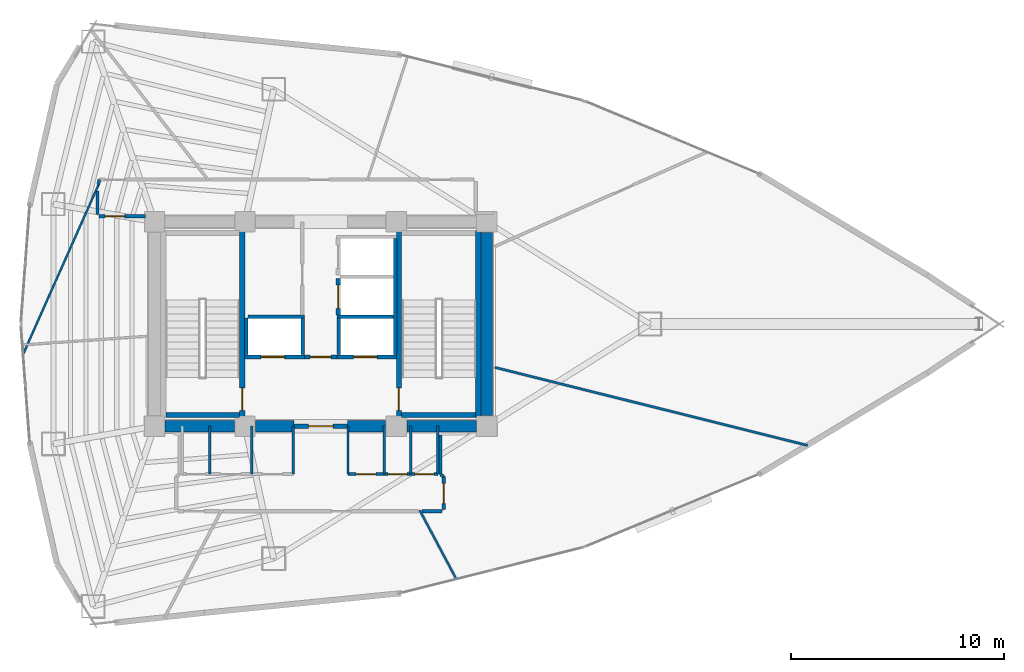
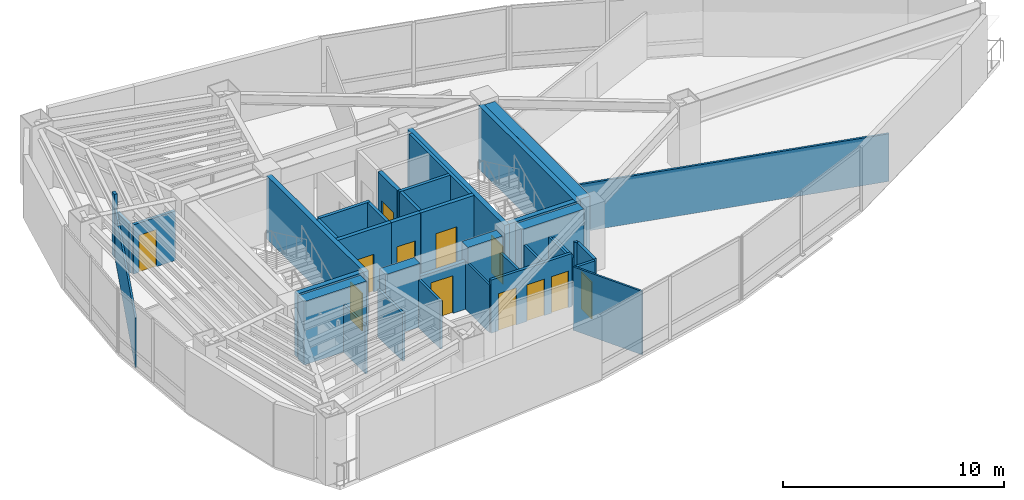
# One storey, part 14 of 18: 39 walls, 12 doors, 12 openings.
"""IFC4 building model written with IfcOpenShell, lengths in metres."""

from ifc_helpers import new_model, si_unit, direction, frame, frame_2d, origin, place, context, subcontext, project, spatial, rectangle, extrude, material, layer, layer_set, type_object, element, fill, save


model = new_model("IFC4")

# Units and contexts
model_context = context("Model", 3, precision=1e-05, world=origin(), true_north=direction((0.0, 1.0)))
body_context = subcontext(model_context, "Body", "Model", "MODEL_VIEW")
ifc_project = project(units=[si_unit("LENGTHUNIT", "METRE"), si_unit("AREAUNIT", "SQUARE_METRE"), si_unit("VOLUMEUNIT", "CUBIC_METRE"), si_unit("PLANEANGLEUNIT", "RADIAN"), si_unit("MASSUNIT", "GRAM", prefix="KILO")], contexts=[model_context])

# Site, building, storey
site_placement = place(None, origin())
site = spatial("IfcSite", under=ifc_project, at=site_placement, CompositionType="ELEMENT")
building_placement = place(site_placement, origin())
building = spatial("IfcBuilding", under=site, at=building_placement, Name="Menara Vayukalpa", CompositionType="ELEMENT")
storey_placement = place(building_placement, frame((0.0, 0.0, 165.47998046875)))
storey = spatial("IfcBuildingStorey", under=building, at=storey_placement, Name="L41", CompositionType="ELEMENT", Elevation=165.47998046875)

# Walls
ifc_material_1 = material(Name="Concrete C60/75", Category="concrete")
ifc_layer_1 = layer(ifc_material_1, 0.550048828125)
ifc_layer_set_1 = layer_set([ifc_layer_1], Name="Concrete C60/75")
wall_type_1 = type_object("IfcWallType", Name="WAL-CW550", PredefinedType="SHEAR", material=ifc_layer_set_1)
wall_1_placement = place(storey_placement, frame((18.294921875, 17.199951171875, 0.0), z_axis=(0.0, 0.0, 1.0), x_axis=(1.0, 0.0, 0.0)))
element("IfcWall", 1, at=wall_1_placement, inside=storey, type_object=wall_type_1, Name="L41 Buttressed Core Shear Wall CWS1", PredefinedType="SHEAR", context=body_context, shape_type="SweptSolid", body=[
    extrude(rectangle(XDim=3.260009765625, YDim=0.550048828125, at=frame_2d((1.6298828125, 0.0))), origin(), (0.0, 0.0, 1.0), 3.5),
])
wall_2_placement = place(storey_placement, frame((22.544921875, 17.199951171875, 0.0), z_axis=(0.0, 0.0, 1.0), x_axis=(1.0, 0.0, 0.0)))
element("IfcWall", 2, at=wall_2_placement, inside=storey, type_object=wall_type_1, Name="L41 Buttressed Core Shear Wall CWS2", PredefinedType="SHEAR", context=body_context, shape_type="SweptSolid", body=[
    extrude(rectangle(XDim=1.80517578125, YDim=0.550048828125, at=frame_2d((0.902587890625, 0.0))), origin(), (0.0, 0.0, 1.0), 3.5),
])
wall_3_placement = place(storey_placement, frame((26.85009765625, 17.199951171875, 0.0), z_axis=(0.0, 0.0, 1.0), x_axis=(1.0, 0.0, 0.0)))
element("IfcWall", 3, at=wall_3_placement, inside=storey, type_object=wall_type_1, Name="L41 Buttressed Core Shear Wall CWS3", PredefinedType="SHEAR", context=body_context, shape_type="SweptSolid", body=[
    extrude(rectangle(XDim=1.804931640625, YDim=0.550048828125, at=frame_2d((0.90234375, 0.0))), origin(), (0.0, 0.0, 1.0), 3.5),
])
wall_4_placement = place(storey_placement, frame((29.64501953125, 17.199951171875, 0.0), z_axis=(0.0, 0.0, 1.0), x_axis=(1.0, 0.0, 0.0)))
element("IfcWall", 4, at=wall_4_placement, inside=storey, type_object=wall_type_1, Name="L41 Buttressed Core Shear Wall CWS4", PredefinedType="SHEAR", context=body_context, shape_type="SweptSolid", body=[
    extrude(rectangle(XDim=3.260009765625, YDim=0.550048828125, at=frame_2d((1.6298828125, 0.0))), origin(), (0.0, 0.0, 1.0), 3.5),
])
wall_5_placement = place(storey_placement, frame((33.39990234375, 17.695068359375, 0.0), z_axis=(0.0, 0.0, 1.0), x_axis=(0.0, 1.0, 0.0)))
element("IfcWall", 5, at=wall_5_placement, inside=storey, type_object=wall_type_1, Name="L41 Buttressed Core Shear Wall CWE1", PredefinedType="SHEAR", context=body_context, shape_type="SweptSolid", body=[
    extrude(rectangle(XDim=8.60986328125, YDim=0.550048828125, at=frame_2d((4.304931640625, 0.0))), origin(), (0.0, 0.0, 1.0), 3.5),
])
ifc_material_2 = material(Name="Lightweight Concrete Blockwork C16/20", Category="masonry")
ifc_layer_2 = layer(ifc_material_2, 0.159912109375)
ifc_layer_set_2 = layer_set([ifc_layer_2], Name="Lightweight Concrete Blockwork C16/20")
wall_type_2 = type_object("IfcWallType", Name="WAL-FR150", PredefinedType="PARTITIONING", material=ifc_layer_set_2)
for number, where, z_axis, x_axis, name in (
    (6, (22.10498046875, 20.56005859375, 0.0), (0.0, 0.0, 1.0), (0.0, 1.0, 0.0), "L41 Interior Partition IW-L41-SHW-WW"),
    (7, (24.7548828125, 20.56005859375, 0.0), (0.0, 0.0, 1.0), (0.0, 1.0, 0.0), "L41 Interior Partition IW-L41-SHW-W1E"),
):
    element("IfcWall", number, at=place(storey_placement, frame(where, z_axis=z_axis, x_axis=x_axis)), inside=storey, type_object=wall_type_2, Name=name, PredefinedType="PARTITIONING", context=body_context, shape_type="SweptSolid", body=[
        extrude(rectangle(XDim=1.7099609375, YDim=0.159912109375, at=frame_2d((0.85498046875, 0.0))), origin(), (0.0, 0.0, 1.0), 3.5),
    ])
wall_6_placement = place(storey_placement, frame((22.179931640625, 22.344970703125, 0.0), z_axis=(0.0, 0.0, 1.0), x_axis=(1.0, 0.0, 0.0)))
element("IfcWall", 8, at=wall_6_placement, inside=storey, type_object=wall_type_2, Name="L41 Interior Partition IW-L41-SHM-W12", PredefinedType="PARTITIONING", context=body_context, shape_type="SweptSolid", body=[
    extrude(rectangle(XDim=2.650146484375, YDim=0.159912109375, at=frame_2d((1.3251953125, 0.0))), origin(), (0.0, 0.0, 1.0), 3.5),
])
wall_7_placement = place(storey_placement, frame((29.094970703125, 20.56005859375, 0.0), z_axis=(0.0, 0.0, 1.0), x_axis=(0.0, 1.0, 0.0)))
element("IfcWall", 9, at=wall_7_placement, inside=storey, type_object=wall_type_2, Name="L41 Interior Partition IW-L41-SHW-EE", PredefinedType="PARTITIONING", context=body_context, shape_type="SweptSolid", body=[
    extrude(rectangle(XDim=5.449951171875, YDim=0.159912109375, at=frame_2d((2.72509765625, 0.0))), origin(), (0.0, 0.0, 1.0), 3.5),
])
wall_8_placement = place(storey_placement, frame((26.445068359375, 20.56005859375, 0.0), z_axis=(0.0, 0.0, 1.0), x_axis=(0.0, 1.0, 0.0)))
element("IfcWall", 10, at=wall_8_placement, inside=storey, type_object=wall_type_2, Name="L41 Interior Partition IW-L41-SHW-E1W", PredefinedType="PARTITIONING", context=body_context, shape_type="SweptSolid", body=[
    extrude(rectangle(XDim=1.7099609375, YDim=0.159912109375, at=frame_2d((0.85498046875, 0.0))), origin(), (0.0, 0.0, 1.0), 3.5),
])
wall_9_placement = place(storey_placement, frame((26.3701171875, 22.344970703125, 0.0), z_axis=(0.0, 0.0, 1.0), x_axis=(1.0, 0.0, 0.0)))
element("IfcWall", 11, at=wall_9_placement, inside=storey, type_object=wall_type_2, Name="L41 Interior Partition IW-L41-SHM-E13", PredefinedType="PARTITIONING", context=body_context, shape_type="SweptSolid", body=[
    extrude(rectangle(XDim=2.64990234375, YDim=0.159912109375, at=frame_2d((1.324951171875, 0.0))), origin(), (0.0, 0.0, 1.0), 3.5),
])

# Wall, opening, door
ifc_material_3 = material(Name="Lightweight Concrete Blockwork C16/20", Category="masonry")
ifc_layer_3 = layer(ifc_material_3, 0.199951171875)
ifc_layer_set_3 = layer_set([ifc_layer_3], Name="Lightweight Concrete Blockwork C16/20")
wall_type_3 = type_object("IfcWallType", Name="WAL-FR200", PredefinedType="PARTITIONING", material=ifc_layer_set_3)
wall_10_placement = place(storey_placement, frame((24.35009765625, 17.199951171875, 0.0), z_axis=(0.0, 0.0, 1.0), x_axis=(1.0, 0.0, 0.0)))
wall_10 = element("IfcWall", 12, at=wall_10_placement, inside=storey, type_object=wall_type_3, Name="L41 Interior Partition IW-L41-FFLS", PredefinedType="PARTITIONING", context=body_context, shape_type="SweptSolid", body=[
    extrude(rectangle(XDim=2.5, YDim=0.199951171875, at=frame_2d((1.25, 0.0))), origin(), (0.0, 0.0, 1.0), 2.630126953125),
])
opening_1_placement = place(wall_10_placement, frame((0.679931640625, 0.0, 0.0)))
opening_1 = element("IfcOpeningElement", 13, at=opening_1_placement, cuts=wall_10, Name="Opening ID2", PredefinedType="OPENING", context=body_context, shape_type="SweptSolid", body=[
    extrude(rectangle(XDim=1.14990234375, YDim=2.080078125, at=frame_2d((0.574951171875, 1.0400390625))), frame((0.0, 0.10986328125, 0.0), z_axis=(0.0, -1.0, 0.0), x_axis=(1.0, 0.0, 0.0)), (0.0, 0.0, 1.0), 0.219970703125),
])
ifc_material_4 = material(Name="Fire-Rated Powder-Coated Steel Door", Category="steel")
door_type_1 = type_object("IfcDoorType", Name="DR-FD60W", OperationType="NOTDEFINED", PredefinedType="DOOR", material=ifc_material_4)
door_1_placement = place(opening_1_placement, origin())
door_1 = element("IfcDoor", 14, at=door_1_placement, inside=storey, type_object=door_type_1, Name="L41 Interior Door DR-L41-FFLS", OperationType="SINGLE_SWING_RIGHT", OverallHeight=2.080078125, OverallWidth=1.14990234375, PredefinedType="DOOR", context=body_context, shape_type="SweptSolid", body=[
    extrude(rectangle(XDim=1.14990234375, YDim=2.080078125, at=frame_2d((0.574951171875, 1.0400390625))), frame((0.0, 0.02490234375, 0.0), z_axis=(0.0, -1.0, 0.0), x_axis=(1.0, 0.0, 0.0)), (0.0, 0.0, 1.0), 0.050048828125),
])
fill(opening_1, door_1)

wall_11_placement = place(storey_placement, frame((24.840087890625, 20.449951171875, 0.0), z_axis=(0.0, 0.0, 1.0), x_axis=(1.0, 0.0, 0.0)))
wall_11 = element("IfcWall", 15, at=wall_11_placement, inside=storey, type_object=wall_type_3, Name="L41 Interior Partition IW-L41-FFLN", PredefinedType="PARTITIONING", context=body_context, shape_type="SweptSolid", body=[
    extrude(rectangle(XDim=1.52001953125, YDim=0.199951171875, at=frame_2d((0.760009765625, 0.0))), origin(), (0.0, 0.0, 1.0), 3.5),
])
opening_2_placement = place(wall_11_placement, frame((0.27001953125, 0.0, 0.0)))
opening_2 = element("IfcOpeningElement", 16, at=opening_2_placement, cuts=wall_11, Name="Opening ID3", PredefinedType="OPENING", context=body_context, shape_type="SweptSolid", body=[
    extrude(rectangle(XDim=0.97998046875, YDim=2.06005859375, at=frame_2d((0.489990234375, 1.030029296875))), frame((0.0, 0.10986328125, 0.0), z_axis=(0.0, -1.0, 0.0), x_axis=(1.0, 0.0, 0.0)), (0.0, 0.0, 1.0), 0.219970703125),
])
ifc_material_5 = material(Name="Fire-Rated Powder-Coated Steel Door", Category="steel")
door_type_2 = type_object("IfcDoorType", Name="DR-FD60", OperationType="NOTDEFINED", PredefinedType="DOOR", material=ifc_material_5)
door_2_placement = place(opening_2_placement, origin())
door_2 = element("IfcDoor", 17, at=door_2_placement, inside=storey, type_object=door_type_2, Name="L41 Interior Door DR-L41-FFLN", OperationType="SINGLE_SWING_LEFT", OverallHeight=2.06005859375, OverallWidth=0.97998046875, PredefinedType="DOOR", context=body_context, shape_type="SweptSolid", body=[
    extrude(rectangle(XDim=0.97998046875, YDim=2.06005859375, at=frame_2d((0.489990234375, 1.030029296875))), frame((0.0, 0.02490234375, 0.0), z_axis=(0.0, -1.0, 0.0), x_axis=(1.0, 0.0, 0.0)), (0.0, 0.0, 1.0), 0.050048828125),
])
fill(opening_2, door_2)

wall_12_placement = place(storey_placement, frame((22.030029296875, 20.449951171875, 0.0), z_axis=(0.0, 0.0, 1.0), x_axis=(1.0, 0.0, 0.0)))
wall_12 = element("IfcWall", 18, at=wall_12_placement, inside=storey, type_object=wall_type_3, Name="L41 Interior Partition IW-L41-SH-W1", PredefinedType="PARTITIONING", context=body_context, shape_type="SweptSolid", body=[
    extrude(rectangle(XDim=2.800048828125, YDim=0.199951171875, at=frame_2d((1.39990234375, 0.0))), origin(), (0.0, 0.0, 1.0), 3.5),
])
opening_3_placement = place(wall_12_placement, frame((0.780029296875, 0.0, 0.0)))
opening_3 = element("IfcOpeningElement", 19, at=opening_3_placement, cuts=wall_12, Name="Opening LD1", PredefinedType="OPENING", context=body_context, shape_type="SweptSolid", body=[
    extrude(rectangle(XDim=1.10009765625, YDim=2.080078125, at=frame_2d((0.550048828125, 1.0400390625))), frame((0.0, 0.10986328125, 0.0), z_axis=(0.0, -1.0, 0.0), x_axis=(1.0, 0.0, 0.0)), (0.0, 0.0, 1.0), 0.219970703125),
])
ifc_material_6 = material(Name="Brushed Stainless Steel 316 Lift Door", Category="steel")
door_type_3 = type_object("IfcDoorType", Name="DR-LD110", OperationType="NOTDEFINED", PredefinedType="DOOR", material=ifc_material_6)
door_3_placement = place(opening_3_placement, origin())
door_3 = element("IfcDoor", 20, at=door_3_placement, inside=storey, type_object=door_type_3, Name="L41 Interior Door DR-L41-LD-W1", OperationType="DOUBLE_DOOR_SLIDING", OverallHeight=2.080078125, OverallWidth=1.10009765625, PredefinedType="DOOR", context=body_context, shape_type="SweptSolid", body=[
    extrude(rectangle(XDim=1.10009765625, YDim=2.080078125, at=frame_2d((0.550048828125, 1.0400390625))), frame((0.0, 0.02490234375, 0.0), z_axis=(0.0, -1.0, 0.0), x_axis=(1.0, 0.0, 0.0)), (0.0, 0.0, 1.0), 0.050048828125),
])
fill(opening_3, door_3)

wall_13_placement = place(storey_placement, frame((26.3701171875, 20.449951171875, 0.0), z_axis=(0.0, 0.0, 1.0), x_axis=(1.0, 0.0, 0.0)))
wall_13 = element("IfcWall", 21, at=wall_13_placement, inside=storey, type_object=wall_type_3, Name="L41 Interior Partition IW-L41-SH-E1", PredefinedType="PARTITIONING", context=body_context, shape_type="SweptSolid", body=[
    extrude(rectangle(XDim=2.7998046875, YDim=0.199951171875, at=frame_2d((1.39990234375, 0.0))), origin(), (0.0, 0.0, 1.0), 3.5),
])
opening_4_placement = place(wall_13_placement, frame((0.780029296875, 0.0, 0.0)))
opening_4 = element("IfcOpeningElement", 22, at=opening_4_placement, cuts=wall_13, Name="Opening LD1", PredefinedType="OPENING", context=body_context, shape_type="SweptSolid", body=[
    extrude(rectangle(XDim=1.10009765625, YDim=2.080078125, at=frame_2d((0.550048828125, 1.0400390625))), frame((0.0, 0.10986328125, 0.0), z_axis=(0.0, -1.0, 0.0), x_axis=(1.0, 0.0, 0.0)), (0.0, 0.0, 1.0), 0.219970703125),
])
door_4_placement = place(opening_4_placement, origin())
door_4 = element("IfcDoor", 23, at=door_4_placement, inside=storey, type_object=door_type_3, Name="L41 Interior Door DR-L41-LD-E1", OperationType="DOUBLE_DOOR_SLIDING", OverallHeight=2.080078125, OverallWidth=1.10009765625, PredefinedType="DOOR", context=body_context, shape_type="SweptSolid", body=[
    extrude(rectangle(XDim=1.10009765625, YDim=2.080078125, at=frame_2d((0.550048828125, 1.0400390625))), frame((0.0, 0.02490234375, 0.0), z_axis=(0.0, -1.0, 0.0), x_axis=(1.0, 0.0, 0.0)), (0.0, 0.0, 1.0), 0.050048828125),
])
fill(opening_4, door_4)

wall_14_placement = place(storey_placement, frame((26.419921875, 22.419921875, 0.0), z_axis=(0.0, 0.0, 1.0), x_axis=(0.0, 1.0, 0.0)))
wall_14 = element("IfcWall", 24, at=wall_14_placement, inside=storey, type_object=wall_type_3, Name="L41 Interior Partition IW-L41-SH-E3", PredefinedType="PARTITIONING", context=body_context, shape_type="SweptSolid", body=[
    extrude(rectangle(XDim=1.719970703125, YDim=0.199951171875, at=frame_2d((0.85986328125, 0.0))), origin(), (0.0, 0.0, 1.0), 3.5),
])
opening_5_placement = place(wall_14_placement, frame((0.31005859375, 0.0, 0.0)))
opening_5 = element("IfcOpeningElement", 25, at=opening_5_placement, cuts=wall_14, Name="Opening LD1", PredefinedType="OPENING", context=body_context, shape_type="SweptSolid", body=[
    extrude(rectangle(XDim=1.10009765625, YDim=2.080078125, at=frame_2d((0.550048828125, 1.0400390625))), frame((0.0, 0.10986328125, 0.0), z_axis=(0.0, -1.0, 0.0), x_axis=(1.0, 0.0, 0.0)), (0.0, 0.0, 1.0), 0.219970703125),
])
door_5_placement = place(opening_5_placement, origin())
door_5 = element("IfcDoor", 26, at=door_5_placement, inside=storey, type_object=door_type_3, Name="L41 Interior Door DR-L41-LD-E3", OperationType="DOUBLE_DOOR_SLIDING", OverallHeight=2.080078125, OverallWidth=1.10009765625, PredefinedType="DOOR", context=body_context, shape_type="SweptSolid", body=[
    extrude(rectangle(XDim=1.10009765625, YDim=2.080078125, at=frame_2d((0.550048828125, 1.0400390625))), frame((0.0, 0.02490234375, 0.0), z_axis=(0.0, -1.0, 0.0), x_axis=(1.0, 0.0, 0.0)), (0.0, 0.0, 1.0), 0.050048828125),
])
fill(opening_5, door_5)

# Walls
ifc_material_7 = material(Name="Glazed Demountable Office Partition", Category="glass")
ifc_layer_4 = layer(ifc_material_7, 0.094970703125)
ifc_layer_set_4 = layer_set([ifc_layer_4], Name="Glazed Demountable Office Partition")
wall_type_4 = type_object("IfcWallType", Name="WAL-PT100", PredefinedType="PARTITIONING", material=ifc_layer_set_4)
wall_15_placement = place(storey_placement, frame((30.2470703125, 13.260009765625, 0.0), z_axis=(0.0, 0.0, 1.0), x_axis=(0.469475406562, -0.882945549076, 0.0)))
element("IfcWall", 27, at=wall_15_placement, inside=storey, type_object=wall_type_4, Name="L41 Interior Partition IW-L41-RDIV06", PredefinedType="PARTITIONING", context=body_context, shape_type="SweptSolid", body=[
    extrude(rectangle(XDim=3.67919921875, YDim=0.094970703125, at=frame_2d((1.839599609375, 0.0))), origin(), (0.0, 0.0, 1.0), 3.5),
])
wall_16_placement = place(storey_placement, frame((15.169921875, 28.531005859375, 0.0), z_axis=(0.0, 0.0, 1.0), x_axis=(-0.406717829794, -0.913553833623, 0.0)))
element("IfcWall", 28, at=wall_16_placement, inside=storey, type_object=wall_type_4, Name="L41 Interior Partition IW-L41-RDIV08", PredefinedType="PARTITIONING", context=body_context, shape_type="SweptSolid", body=[
    extrude(rectangle(XDim=8.7177734375, YDim=0.094970703125, at=frame_2d((4.35888671875, 0.0))), origin(), (0.0, 0.0, 1.0), 2.72998046875),
])
ifc_material_8 = material(Name="Acoustic Mineral Stud Partition", Category="masonry")
ifc_layer_5 = layer(ifc_material_8, 0.110107421875)
ifc_layer_set_5 = layer_set([ifc_layer_5], Name="Acoustic Mineral Stud Partition")
wall_type_5 = type_object("IfcWallType", Name="WAL-PT110", PredefinedType="PARTITIONING", material=ifc_layer_set_5)
for number, where, z_axis, x_axis, name in (
    (29, (20.39990234375, 14.949951171875, 0.0), (0.0, 0.0, 1.0), (0.0, 1.0, 0.0), "L41 Interior Partition IW-L41-SVCD-02"),
    (30, (26.8798828125, 14.949951171875, 0.0), (0.0, 0.0, 1.0), (0.0, 1.0, 0.0), "L41 Interior Partition IW-L41-SVCD-05"),
    (31, (31.10009765625, 14.949951171875, 0.0), (0.0, 0.0, 1.0), (0.0, 1.0, 0.0), "L41 Interior Partition IW-L41-SVCD-08"),
):
    element("IfcWall", number, at=place(storey_placement, frame(where, z_axis=z_axis, x_axis=x_axis)), inside=storey, type_object=wall_type_5, Name=name, PredefinedType="PARTITIONING", context=body_context, shape_type="SweptSolid", body=[
        extrude(rectangle(XDim=2.25, YDim=0.110107421875, at=frame_2d((1.125, 0.0))), origin(), (0.0, 0.0, 1.0), 2.630126953125),
    ])
wall_17_placement = place(storey_placement, frame((33.77001953125, 19.962890625, 0.0), z_axis=(0.0, 0.0, 1.0), x_axis=(0.970295996232, -0.241920812863, 0.0)))
element("IfcWall", 32, at=wall_17_placement, inside=storey, type_object=wall_type_5, Name="L41 Interior Partition IW-L41-RDIV07", PredefinedType="PARTITIONING", context=body_context, shape_type="SweptSolid", body=[
    extrude(rectangle(XDim=15.1376953125, YDim=0.110107421875, at=frame_2d((7.56884765625, 0.0))), origin(), (0.0, 0.0, 1.0), 2.630126953125),
])
ifc_material_9 = material(Name="Gypsum Drywall Steel Stud Assembly", Category="steel")
ifc_layer_6 = layer(ifc_material_9, 0.125)
ifc_layer_set_6 = layer_set([ifc_layer_6], Name="Gypsum Drywall Steel Stud Assembly")
wall_type_6 = type_object("IfcWallType", Name="WAL-PT125", PredefinedType="PARTITIONING", material=ifc_layer_set_6)
for number, where, z_axis, x_axis, name in (
    (33, (22.360107421875, 14.949951171875, 0.0), (0.0, 0.0, 1.0), (0.0, 1.0, 0.0), "L41 Interior Partition IW-L41-SVCD-03"),
    (34, (24.320068359375, 14.949951171875, 0.0), (0.0, 0.0, 1.0), (0.0, 1.0, 0.0), "L41 Interior Partition IW-L41-SVCD-04"),
    (35, (28.590087890625, 14.949951171875, 0.0), (0.0, 0.0, 1.0), (0.0, 1.0, 0.0), "L41 Interior Partition IW-L41-SVCD-06"),
    (36, (29.830078125, 14.949951171875, 0.0), (0.0, 0.0, 1.0), (0.0, 1.0, 0.0), "L41 Interior Partition IW-L41-SVCD-07"),
):
    element("IfcWall", number, at=place(storey_placement, frame(where, z_axis=z_axis, x_axis=x_axis)), inside=storey, type_object=wall_type_6, Name=name, PredefinedType="PARTITIONING", context=body_context, shape_type="SweptSolid", body=[
        extrude(rectangle(XDim=2.25, YDim=0.125, at=frame_2d((1.125, 0.0))), origin(), (0.0, 0.0, 1.0), 2.630126953125),
    ])

# Wall, openings, doors
ifc_material_10 = material(Name="Gypsum Drywall Acoustic Stud Assembly", Category="masonry")
ifc_layer_7 = layer(ifc_material_10, 0.14501953125)
ifc_layer_set_7 = layer_set([ifc_layer_7], Name="Gypsum Drywall Acoustic Stud Assembly")
wall_type_7 = type_object("IfcWallType", Name="WAL-PT150", PredefinedType="PARTITIONING", material=ifc_layer_set_7)
wall_18_placement = place(storey_placement, frame((26.8798828125, 14.949951171875, 0.0), z_axis=(0.0, 0.0, 1.0), x_axis=(1.0, 0.0, 0.0)))
wall_18 = element("IfcWall", 37, at=wall_18_placement, inside=storey, type_object=wall_type_7, Name="L41 Interior Partition IW-L41-SVCS-E", PredefinedType="PARTITIONING", context=body_context, shape_type="SweptSolid", body=[
    extrude(rectangle(XDim=4.22021484375, YDim=0.14501953125, at=frame_2d((2.110107421875, 0.0))), origin(), (0.0, 0.0, 1.0), 2.929931640625),
])
opening_6_placement = place(wall_18_placement, frame((0.389892578125, 0.0, 0.0)))
opening_6 = element("IfcOpeningElement", 38, at=opening_6_placement, cuts=wall_18, Name="Opening ID6", PredefinedType="OPENING", context=body_context, shape_type="SweptSolid", body=[
    extrude(rectangle(XDim=0.919921875, YDim=2.050048828125, at=frame_2d((0.4599609375, 1.02490234375))), frame((0.0, 0.08251953125, 0.0), z_axis=(0.0, -1.0, 0.0), x_axis=(1.0, 0.0, 0.0)), (0.0, 0.0, 1.0), 0.1650390625),
])
opening_7_placement = place(wall_18_placement, frame((1.8798828125, 0.0, 0.0)))
opening_7 = element("IfcOpeningElement", 39, at=opening_7_placement, cuts=wall_18, Name="Opening ID7", PredefinedType="OPENING", context=body_context, shape_type="SweptSolid", body=[
    extrude(rectangle(XDim=0.89990234375, YDim=2.02001953125, at=frame_2d((0.449951171875, 1.010009765625))), frame((0.0, 0.08251953125, 0.0), z_axis=(0.0, -1.0, 0.0), x_axis=(1.0, 0.0, 0.0)), (0.0, 0.0, 1.0), 0.1650390625),
])
opening_8_placement = place(wall_18_placement, frame((3.139892578125, 0.0, 0.0)))
opening_8 = element("IfcOpeningElement", 40, at=opening_8_placement, cuts=wall_18, Name="Opening ID7", PredefinedType="OPENING", context=body_context, shape_type="SweptSolid", body=[
    extrude(rectangle(XDim=0.89990234375, YDim=2.02001953125, at=frame_2d((0.449951171875, 1.010009765625))), frame((0.0, 0.08251953125, 0.0), z_axis=(0.0, -1.0, 0.0), x_axis=(1.0, 0.0, 0.0)), (0.0, 0.0, 1.0), 0.1650390625),
])
ifc_material_11 = material(Name="Acoustic Hardwood Veneer Timber Door", Category="wood")
door_type_4 = type_object("IfcDoorType", Name="DR-INT92", OperationType="NOTDEFINED", PredefinedType="DOOR", material=ifc_material_11)
door_6_placement = place(opening_6_placement, origin())
door_6 = element("IfcDoor", 41, at=door_6_placement, inside=storey, type_object=door_type_4, Name="L41 Interior Door DR-L41-KSV1", OperationType="SINGLE_SWING_RIGHT", OverallHeight=2.050048828125, OverallWidth=0.919921875, PredefinedType="DOOR", context=body_context, shape_type="SweptSolid", body=[
    extrude(rectangle(XDim=0.919921875, YDim=2.050048828125, at=frame_2d((0.4599609375, 1.02490234375))), frame((0.0, 0.02490234375, 0.0), z_axis=(0.0, -1.0, 0.0), x_axis=(1.0, 0.0, 0.0)), (0.0, 0.0, 1.0), 0.050048828125),
])
fill(opening_6, door_6)
ifc_material_12 = material(Name="Powder-Coated Steel Riser Access Door", Category="steel")
door_type_5 = type_object("IfcDoorType", Name="DR-RISER", OperationType="NOTDEFINED", PredefinedType="DOOR", material=ifc_material_12)
door_7_placement = place(opening_7_placement, origin())
door_7 = element("IfcDoor", 42, at=door_7_placement, inside=storey, type_object=door_type_5, Name="L41 Interior Door DR-L41-KSV2", OperationType="SINGLE_SWING_LEFT", OverallHeight=2.02001953125, OverallWidth=0.89990234375, PredefinedType="DOOR", context=body_context, shape_type="SweptSolid", body=[
    extrude(rectangle(XDim=0.89990234375, YDim=2.02001953125, at=frame_2d((0.449951171875, 1.010009765625))), frame((0.0, 0.02490234375, 0.0), z_axis=(0.0, -1.0, 0.0), x_axis=(1.0, 0.0, 0.0)), (0.0, 0.0, 1.0), 0.050048828125),
])
fill(opening_7, door_7)
door_8_placement = place(opening_8_placement, origin())
door_8 = element("IfcDoor", 43, at=door_8_placement, inside=storey, type_object=door_type_5, Name="L41 Interior Door DR-L41-SMD", OperationType="SINGLE_SWING_RIGHT", OverallHeight=2.02001953125, OverallWidth=0.89990234375, PredefinedType="DOOR", context=body_context, shape_type="SweptSolid", body=[
    extrude(rectangle(XDim=0.89990234375, YDim=2.02001953125, at=frame_2d((0.449951171875, 1.010009765625))), frame((0.0, 0.02490234375, 0.0), z_axis=(0.0, -1.0, 0.0), x_axis=(1.0, 0.0, 0.0)), (0.0, 0.0, 1.0), 0.050048828125),
])
fill(opening_8, door_8)

# Wall
wall_19_placement = place(storey_placement, frame((30.35302734375, 13.2099609375, 0.0), z_axis=(0.0, 0.0, 1.0), x_axis=(1.0, 0.0, 0.0)))
element("IfcWall", 44, at=wall_19_placement, inside=storey, type_object=wall_type_7, Name="L41 Interior Partition IW-L41-CRM03-1", PredefinedType="PARTITIONING", context=body_context, shape_type="SweptSolid", body=[
    extrude(rectangle(XDim=0.947021484375, YDim=0.14501953125, at=frame_2d((0.4736328125, 0.0))), origin(), (0.0, 0.0, 1.0), 3.5),
])

# Wall, opening, door
wall_20_placement = place(storey_placement, frame((31.3798828125, 13.2900390625, 0.0), z_axis=(0.0, 0.0, 1.0), x_axis=(0.0, 1.0, 0.0)))
wall_20 = element("IfcWall", 45, at=wall_20_placement, inside=storey, type_object=wall_type_7, Name="L41 Interior Partition IW-L41-CRM03-2", PredefinedType="PARTITIONING", context=body_context, shape_type="SweptSolid", body=[
    extrude(rectangle(XDim=1.56005859375, YDim=0.14501953125, at=frame_2d((0.780029296875, 0.0))), origin(), (0.0, 0.0, 1.0), 3.5),
])
opening_9_placement = place(wall_20_placement, frame((0.280029296875, 0.0, 0.0)))
opening_9 = element("IfcOpeningElement", 46, at=opening_9_placement, cuts=wall_20, Name="Opening ID5", PredefinedType="OPENING", context=body_context, shape_type="SweptSolid", body=[
    extrude(rectangle(XDim=0.949951171875, YDim=2.06005859375, at=frame_2d((0.47509765625, 1.030029296875))), frame((0.0, 0.08251953125, 0.0), z_axis=(0.0, -1.0, 0.0), x_axis=(1.0, 0.0, 0.0)), (0.0, 0.0, 1.0), 0.1650390625),
])
ifc_material_13 = material(Name="Acoustic Hardwood Veneer Timber Door", Category="wood")
door_type_6 = type_object("IfcDoorType", Name="DR-INT95", OperationType="NOTDEFINED", PredefinedType="DOOR", material=ifc_material_13)
door_9_placement = place(opening_9_placement, origin())
door_9 = element("IfcDoor", 47, at=door_9_placement, inside=storey, type_object=door_type_6, Name="L41 Interior Door DR-L41-RM03", OperationType="SINGLE_SWING_LEFT", OverallHeight=2.06005859375, OverallWidth=0.949951171875, PredefinedType="DOOR", context=body_context, shape_type="SweptSolid", body=[
    extrude(rectangle(XDim=0.949951171875, YDim=2.06005859375, at=frame_2d((0.47509765625, 1.030029296875))), frame((0.0, 0.02490234375, 0.0), z_axis=(0.0, -1.0, 0.0), x_axis=(1.0, 0.0, 0.0)), (0.0, 0.0, 1.0), 0.050048828125),
])
fill(opening_9, door_9)

# Wall
wall_21_placement = place(storey_placement, frame((31.219970703125, 14.929931640625, 0.0), z_axis=(0.0, 0.0, 1.0), x_axis=(0.0, 1.0, 0.0)))
element("IfcWall", 48, at=wall_21_placement, inside=storey, type_object=wall_type_7, Name="L41 Interior Partition IW-L41-CRM03-3", PredefinedType="PARTITIONING", context=body_context, shape_type="SweptSolid", body=[
    extrude(rectangle(XDim=1.85009765625, YDim=0.14501953125, at=frame_2d((0.925048828125, 0.0))), origin(), (0.0, 0.0, 1.0), 2.630126953125),
])

# Wall, opening, door
wall_22_placement = place(storey_placement, frame((15.199951171875, 27.06005859375, 0.0), z_axis=(0.0, 0.0, 1.0), x_axis=(1.0, 0.0, 0.0)))
wall_22 = element("IfcWall", 49, at=wall_22_placement, inside=storey, type_object=wall_type_7, Name="L41 Interior Partition IW-L41-CRM08-1", PredefinedType="PARTITIONING", context=body_context, shape_type="SweptSolid", body=[
    extrude(rectangle(XDim=2.179931640625, YDim=0.14501953125, at=frame_2d((1.08984375, 0.0))), origin(), (0.0, 0.0, 1.0), 2.72998046875),
])
opening_10_placement = place(wall_22_placement, frame((0.280029296875, 0.0, 0.0)))
opening_10 = element("IfcOpeningElement", 50, at=opening_10_placement, cuts=wall_22, Name="Opening ID6", PredefinedType="OPENING", context=body_context, shape_type="SweptSolid", body=[
    extrude(rectangle(XDim=0.919921875, YDim=2.050048828125, at=frame_2d((0.4599609375, 1.02490234375))), frame((0.0, 0.08251953125, 0.0), z_axis=(0.0, -1.0, 0.0), x_axis=(1.0, 0.0, 0.0)), (0.0, 0.0, 1.0), 0.1650390625),
])
door_10_placement = place(opening_10_placement, origin())
door_10 = element("IfcDoor", 51, at=door_10_placement, inside=storey, type_object=door_type_4, Name="L41 Interior Door DR-L41-RM08", OperationType="SINGLE_SWING_LEFT", OverallHeight=2.050048828125, OverallWidth=0.919921875, PredefinedType="DOOR", context=body_context, shape_type="SweptSolid", body=[
    extrude(rectangle(XDim=0.919921875, YDim=2.050048828125, at=frame_2d((0.4599609375, 1.02490234375))), frame((0.0, 0.02490234375, 0.0), z_axis=(0.0, -1.0, 0.0), x_axis=(1.0, 0.0, 0.0)), (0.0, 0.0, 1.0), 0.050048828125),
])
fill(opening_10, door_10)

# Walls
wall_23_placement = place(storey_placement, frame((15.1201171875, 28.24658203125, 0.0), z_axis=(0.0, 0.0, 1.0), x_axis=(0.0, -1.0, 0.0)))
element("IfcWall", 52, at=wall_23_placement, inside=storey, type_object=wall_type_7, Name="L41 Interior Partition IW-L41-CRM08-2", PredefinedType="PARTITIONING", context=body_context, shape_type="SweptSolid", body=[
    extrude(rectangle(XDim=1.106689453125, YDim=0.14501953125, at=frame_2d((0.55322265625, 0.0))), origin(), (0.0, 0.0, 1.0), 2.72998046875),
])
wall_24_placement = place(storey_placement, frame((31.3798828125, 14.85009765625, 0.0), z_axis=(0.0, 0.0, 1.0), x_axis=(-0.89470021502, 0.446667130247, 0.0)))
element("IfcWall", 53, at=wall_24_placement, inside=storey, type_object=wall_type_7, Name="L41 Interior Partition IW-L41-CRM03-2-R1", PredefinedType="PARTITIONING", context=body_context, shape_type="SweptSolid", body=[
    extrude(rectangle(XDim=0.1787109375, YDim=0.14501953125, at=frame_2d((0.08935546875, 0.0))), origin(), (0.0, 0.0, 1.0), 3.5),
])
wall_25_placement = place(storey_placement, frame((15.199951171875, 28.780029296875, 0.0), z_axis=(0.0, 0.0, 1.0), x_axis=(-0.119720914767, -0.992807585873, 0.0)))
element("IfcWall", 54, at=wall_25_placement, inside=storey, type_object=wall_type_7, Name="L41 Interior Partition IW-L41-CRM07-1-R1", PredefinedType="PARTITIONING", context=body_context, shape_type="SweptSolid", body=[
    extrude(rectangle(XDim=0.250732421875, YDim=0.14501953125, at=frame_2d((0.12548828125, 0.0))), origin(), (0.0, 0.0, 1.0), 3.5),
])

# Wall, opening, door
ifc_material_14 = material(Name="Concrete C50/60", Category="concrete")
ifc_layer_8 = layer(ifc_material_14, 0.25)
ifc_layer_set_8 = layer_set([ifc_layer_8], Name="Concrete C50/60")
wall_type_8 = type_object("IfcWallType", Name="WAL-SW250", PredefinedType="SHEAR", material=ifc_layer_set_8)
wall_26_placement = place(storey_placement, frame((21.925048828125, 17.60009765625, 0.0), z_axis=(0.0, 0.0, 1.0), x_axis=(0.0, 1.0, 0.0)))
wall_26 = element("IfcWall", 55, at=wall_26_placement, inside=storey, type_object=wall_type_8, Name="L41 ST1 Structural Stair Shaft Wall E", PredefinedType="SHEAR", context=body_context, shape_type="SweptSolid", body=[
    extrude(rectangle(XDim=8.7998046875, YDim=0.25, at=frame_2d((4.39990234375, 0.0))), origin(), (0.0, 0.0, 1.0), 3.5),
])
opening_11_placement = place(wall_26_placement, frame((0.35009765625, 0.0, 0.0)))
opening_11 = element("IfcOpeningElement", 56, at=opening_11_placement, cuts=wall_26, Name="Opening ID1", PredefinedType="OPENING", context=body_context, shape_type="SweptSolid", body=[
    extrude(rectangle(XDim=1.050048828125, YDim=2.080078125, at=frame_2d((0.52490234375, 1.0400390625))), frame((0.0, 0.135009765625, 0.0), z_axis=(0.0, -1.0, 0.0), x_axis=(1.0, 0.0, 0.0)), (0.0, 0.0, 1.0), 0.27001953125),
])
ifc_material_15 = material(Name="Fire-Rated Powder-Coated Steel Door", Category="steel")
door_type_7 = type_object("IfcDoorType", Name="DR-FD120", OperationType="NOTDEFINED", PredefinedType="DOOR", material=ifc_material_15)
door_11_placement = place(opening_11_placement, origin())
door_11 = element("IfcDoor", 57, at=door_11_placement, inside=storey, type_object=door_type_7, Name="L41 Stair Exit Door DR-L41-ST1", OperationType="SINGLE_SWING_LEFT", OverallHeight=2.080078125, OverallWidth=1.050048828125, PredefinedType="DOOR", context=body_context, shape_type="SweptSolid", body=[
    extrude(rectangle(XDim=1.050048828125, YDim=2.080078125, at=frame_2d((0.52490234375, 1.0400390625))), frame((0.0, 0.02490234375, 0.0), z_axis=(0.0, -1.0, 0.0), x_axis=(1.0, 0.0, 0.0)), (0.0, 0.0, 1.0), 0.050048828125),
])
fill(opening_11, door_11)

# Wall
wall_27_placement = place(storey_placement, frame((18.3291015625, 17.72509765625, 0.0), z_axis=(0.0, 0.0, 1.0), x_axis=(1.0, 0.0, 0.0)))
element("IfcWall", 58, at=wall_27_placement, inside=storey, type_object=wall_type_8, Name="L41 ST1 Structural Stair Shaft Wall S", PredefinedType="SHEAR", context=body_context, shape_type="SweptSolid", body=[
    extrude(rectangle(XDim=3.470947265625, YDim=0.25, at=frame_2d((1.7353515625, 0.0))), origin(), (0.0, 0.0, 1.0), 3.5),
])

# Wall, opening, door
wall_28_placement = place(storey_placement, frame((29.27490234375, 17.60009765625, 0.0), z_axis=(0.0, 0.0, 1.0), x_axis=(0.0, 1.0, 0.0)))
wall_28 = element("IfcWall", 59, at=wall_28_placement, inside=storey, type_object=wall_type_8, Name="L41 ST2 Structural Stair Shaft Wall W", PredefinedType="SHEAR", context=body_context, shape_type="SweptSolid", body=[
    extrude(rectangle(XDim=8.7998046875, YDim=0.25, at=frame_2d((4.39990234375, 0.0))), origin(), (0.0, 0.0, 1.0), 3.5),
])
opening_12_placement = place(wall_28_placement, frame((0.35009765625, 0.0, 0.0)))
opening_12 = element("IfcOpeningElement", 60, at=opening_12_placement, cuts=wall_28, Name="Opening ID1", PredefinedType="OPENING", context=body_context, shape_type="SweptSolid", body=[
    extrude(rectangle(XDim=1.050048828125, YDim=2.080078125, at=frame_2d((0.52490234375, 1.0400390625))), frame((0.0, 0.135009765625, 0.0), z_axis=(0.0, -1.0, 0.0), x_axis=(1.0, 0.0, 0.0)), (0.0, 0.0, 1.0), 0.27001953125),
])
door_12_placement = place(opening_12_placement, origin())
door_12 = element("IfcDoor", 61, at=door_12_placement, inside=storey, type_object=door_type_7, Name="L41 Stair Exit Door DR-L41-ST2", OperationType="SINGLE_SWING_RIGHT", OverallHeight=2.080078125, OverallWidth=1.050048828125, PredefinedType="DOOR", context=body_context, shape_type="SweptSolid", body=[
    extrude(rectangle(XDim=1.050048828125, YDim=2.080078125, at=frame_2d((0.52490234375, 1.0400390625))), frame((0.0, 0.02490234375, 0.0), z_axis=(0.0, -1.0, 0.0), x_axis=(1.0, 0.0, 0.0)), (0.0, 0.0, 1.0), 0.050048828125),
])
fill(opening_12, door_12)

# Walls
wall_29_placement = place(storey_placement, frame((32.99609375, 17.60009765625, 0.0), z_axis=(0.0, 0.0, 1.0), x_axis=(0.0, 1.0, 0.0)))
element("IfcWall", 62, at=wall_29_placement, inside=storey, type_object=wall_type_8, Name="L41 ST2 Structural Stair Shaft Wall E", PredefinedType="SHEAR", context=body_context, shape_type="SweptSolid", body=[
    extrude(rectangle(XDim=8.7998046875, YDim=0.25, at=frame_2d((4.39990234375, 0.0))), origin(), (0.0, 0.0, 1.0), 3.5),
])
wall_30_placement = place(storey_placement, frame((29.39990234375, 17.72509765625, 0.0), z_axis=(0.0, 0.0, 1.0), x_axis=(1.0, 0.0, 0.0)))
element("IfcWall", 63, at=wall_30_placement, inside=storey, type_object=wall_type_8, Name="L41 ST2 Structural Stair Shaft Wall S", PredefinedType="SHEAR", context=body_context, shape_type="SweptSolid", body=[
    extrude(rectangle(XDim=3.47119140625, YDim=0.25, at=frame_2d((1.735595703125, 0.0))), origin(), (0.0, 0.0, 1.0), 3.5),
])

save(model, "model.ifc")
